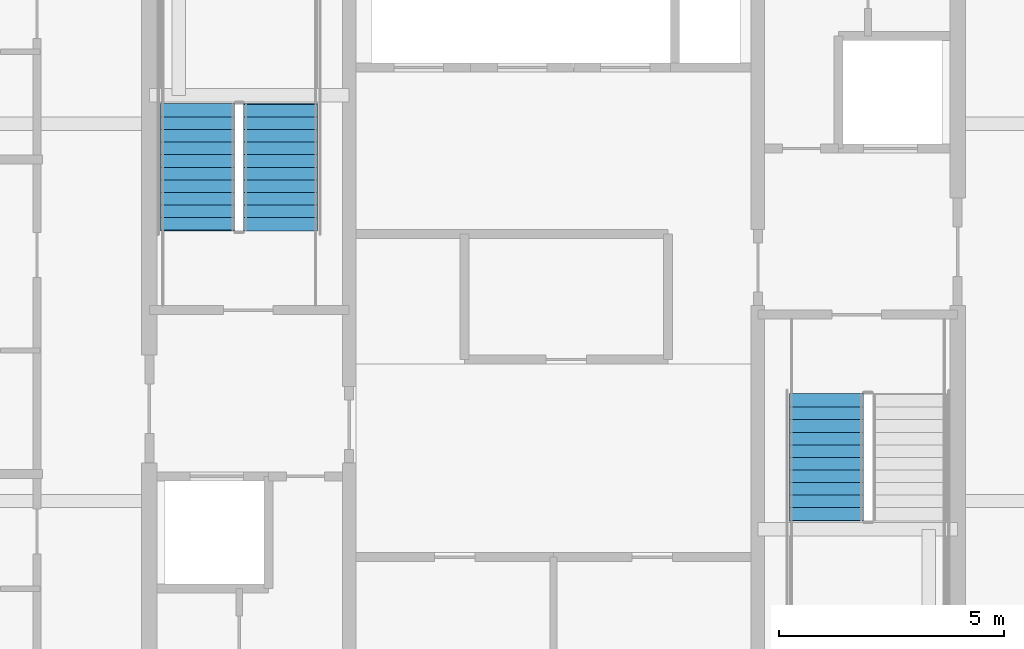
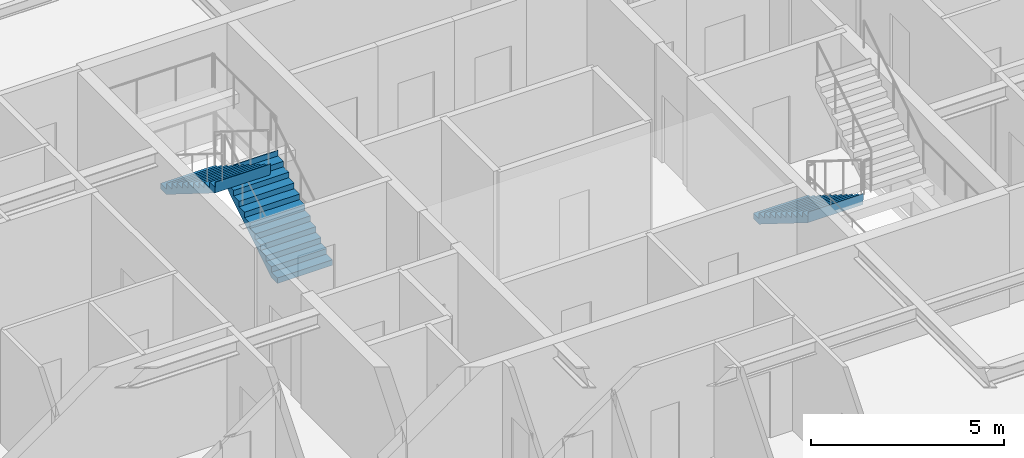
# One storey, part 30 of 36: 3 stair flights, 2 elements without a shape of their own.
"""IFC4 building model written with IfcOpenShell, lengths in metres."""

from ifc_helpers import new_model, si_unit, direction, frame, origin, place, context, subcontext, project, spatial, polygons, material, type_object, element, aggregate, save


model = new_model("IFC4")

# Units and contexts
model_context = context("Model", 3, precision=1e-05, world=origin(), true_north=direction((0.0, 1.0)))
body_context = subcontext(model_context, "Body", "Model", "MODEL_VIEW")
ifc_project = project(units=[si_unit("LENGTHUNIT", "METRE"), si_unit("AREAUNIT", "SQUARE_METRE"), si_unit("VOLUMEUNIT", "CUBIC_METRE"), si_unit("PLANEANGLEUNIT", "RADIAN"), si_unit("MASSUNIT", "GRAM", prefix="KILO")], contexts=[model_context])

# Site, building, storey
site_placement = place(None, origin())
site = spatial("IfcSite", under=ifc_project, at=site_placement, CompositionType="ELEMENT")
building_placement = place(site_placement, origin())
building = spatial("IfcBuilding", under=site, at=building_placement, Name="Serunith Strait Residences", CompositionType="ELEMENT")
storey_placement = place(building_placement, frame((0.0, 0.0, 256.64990234375)))
storey = spatial("IfcBuildingStorey", under=building, at=storey_placement, Name="L64", CompositionType="ELEMENT", Elevation=256.64990234375)

# Stair, stair flights
ifc_material = material(Name="Concrete C50/60", Category="concrete")
stair_type_1 = type_object("IfcStairType", Name="STR-CORE-1", PredefinedType="HALF_TURN_STAIR", material=ifc_material)
stair_1_placement = place(storey_placement, origin())
stair_1 = element("IfcStair", 1, at=stair_1_placement, inside=storey, type_object=stair_type_1, Name="L64 Protected Escape Stair ST-1", PredefinedType="HALF_TURN_STAIR")
stair_flight_type_1 = type_object("IfcStairFlightType", Name="FLT-CORE-1", PredefinedType="STRAIGHT", material=ifc_material)
stair_flight_1_placement = place(storey_placement, frame((26.324951171875, 27.030029296875, 0.0), z_axis=(0.0, 0.0, 1.0), x_axis=(0.0, 1.0, 0.0)))
stair_flight_1 = element("IfcStairFlight", 2, at=stair_flight_1_placement, type_object=stair_flight_type_1, Name="ST-1 flight 1", NumberOfRisers=11, NumberOfTreads=10, PredefinedType="STRAIGHT", RiserHeight=0.175, TreadLength=0.28, context=body_context, shape_type="Tessellation", body=[
    polygons([(-0.02001953125, -0.824951171875, 0.0), (-0.02001953125, -0.824951171875, 0.175048828125), (0.280029296875, -0.824951171875, 0.175048828125), (0.280029296875, -0.824951171875, 0.35009765625), (0.56005859375, -0.824951171875, 0.35009765625), (0.56005859375, -0.824951171875, 0.52490234375), (0.840087890625, -0.824951171875, 0.52490234375), (0.840087890625, -0.824951171875, 0.699951171875), (1.1201171875, -0.824951171875, 0.699951171875), (1.1201171875, -0.824951171875, 0.875), (1.39990234375, -0.824951171875, 0.875), (1.39990234375, -0.824951171875, 1.050048828125), (1.679931640625, -0.824951171875, 1.050048828125), (1.679931640625, -0.824951171875, 1.22509765625), (1.9599609375, -0.824951171875, 1.22509765625), (1.9599609375, -0.824951171875, 1.39990234375), (2.239990234375, -0.824951171875, 1.39990234375), (2.239990234375, -0.824951171875, 1.574951171875), (2.52001953125, -0.824951171875, 1.574951171875), (2.52001953125, -0.824951171875, 1.75), (2.800048828125, -0.824951171875, 1.75), (2.800048828125, -0.824951171875, 1.925048828125), (2.820068359375, -0.824951171875, 1.925048828125), (2.820068359375, -0.824951171875, 1.864990234375), (2.800048828125, -0.824951171875, 1.5732421875), (0.28271484375, -0.824951171875, 0.0), (-0.02001953125, -0.41259765625, 0.0), (-0.02001953125, -0.41259765625, 0.175048828125), (0.280029296875, -0.41259765625, 0.175048828125), (0.280029296875, -0.41259765625, 0.35009765625), (0.56005859375, -0.41259765625, 0.35009765625), (0.56005859375, -0.41259765625, 0.52490234375), (0.840087890625, -0.41259765625, 0.52490234375), (0.840087890625, -0.41259765625, 0.699951171875), (1.1201171875, -0.41259765625, 0.699951171875), (1.1201171875, -0.41259765625, 0.875), (1.39990234375, -0.41259765625, 0.875), (1.39990234375, -0.41259765625, 1.050048828125), (1.679931640625, -0.41259765625, 1.050048828125), (1.679931640625, -0.41259765625, 1.22509765625), (1.9599609375, -0.41259765625, 1.22509765625), (1.9599609375, -0.41259765625, 1.39990234375), (2.239990234375, -0.41259765625, 1.39990234375), (2.239990234375, -0.41259765625, 1.574951171875), (2.52001953125, -0.41259765625, 1.574951171875), (2.52001953125, -0.41259765625, 1.75), (2.800048828125, -0.41259765625, 1.75), (2.800048828125, -0.41259765625, 1.925048828125), (2.820068359375, -0.41259765625, 1.925048828125), (2.820068359375, -0.41259765625, 1.864990234375), (2.800048828125, -0.41259765625, 1.5732421875), (0.28271484375, -0.41259765625, 0.0), (-0.02001953125, 0.0, 0.0), (-0.02001953125, 0.0, 0.175048828125), (0.280029296875, 0.0, 0.175048828125), (0.280029296875, 0.0, 0.35009765625), (0.56005859375, 0.0, 0.35009765625), (0.56005859375, 0.0, 0.52490234375), (0.840087890625, 0.0, 0.52490234375), (0.840087890625, 0.0, 0.699951171875), (1.1201171875, 0.0, 0.699951171875), (1.1201171875, 0.0, 0.875), (1.39990234375, 0.0, 0.875), (1.39990234375, 0.0, 1.050048828125), (1.679931640625, 0.0, 1.050048828125), (1.679931640625, 0.0, 1.22509765625), (1.9599609375, 0.0, 1.22509765625), (1.9599609375, 0.0, 1.39990234375), (2.239990234375, 0.0, 1.39990234375), (2.239990234375, 0.0, 1.574951171875), (2.52001953125, 0.0, 1.574951171875), (2.52001953125, 0.0, 1.75), (2.800048828125, 0.0, 1.75), (2.800048828125, 0.0, 1.925048828125), (2.820068359375, 0.0, 1.925048828125), (2.820068359375, 0.0, 1.864990234375), (2.800048828125, 0.0, 1.5732421875), (0.28271484375, 0.0, 0.0), (-0.02001953125, 0.41259765625, 0.0), (-0.02001953125, 0.41259765625, 0.175048828125), (0.280029296875, 0.41259765625, 0.175048828125), (0.280029296875, 0.41259765625, 0.35009765625), (0.56005859375, 0.41259765625, 0.35009765625), (0.56005859375, 0.41259765625, 0.52490234375), (0.840087890625, 0.41259765625, 0.52490234375), (0.840087890625, 0.41259765625, 0.699951171875), (1.1201171875, 0.41259765625, 0.699951171875), (1.1201171875, 0.41259765625, 0.875), (1.39990234375, 0.41259765625, 0.875), (1.39990234375, 0.41259765625, 1.050048828125), (1.679931640625, 0.41259765625, 1.050048828125), (1.679931640625, 0.41259765625, 1.22509765625), (1.9599609375, 0.41259765625, 1.22509765625), (1.9599609375, 0.41259765625, 1.39990234375), (2.239990234375, 0.41259765625, 1.39990234375), (2.239990234375, 0.41259765625, 1.574951171875), (2.52001953125, 0.41259765625, 1.574951171875), (2.52001953125, 0.41259765625, 1.75), (2.800048828125, 0.41259765625, 1.75), (2.800048828125, 0.41259765625, 1.925048828125), (2.820068359375, 0.41259765625, 1.925048828125), (2.820068359375, 0.41259765625, 1.864990234375), (2.800048828125, 0.41259765625, 1.5732421875), (0.28271484375, 0.41259765625, 0.0), (-0.02001953125, 0.824951171875, 0.0), (-0.02001953125, 0.824951171875, 0.175048828125), (0.280029296875, 0.824951171875, 0.175048828125), (0.280029296875, 0.824951171875, 0.35009765625), (0.56005859375, 0.824951171875, 0.35009765625), (0.56005859375, 0.824951171875, 0.52490234375), (0.840087890625, 0.824951171875, 0.52490234375), (0.840087890625, 0.824951171875, 0.699951171875), (1.1201171875, 0.824951171875, 0.699951171875), (1.1201171875, 0.824951171875, 0.875), (1.39990234375, 0.824951171875, 0.875), (1.39990234375, 0.824951171875, 1.050048828125), (1.679931640625, 0.824951171875, 1.050048828125), (1.679931640625, 0.824951171875, 1.22509765625), (1.9599609375, 0.824951171875, 1.22509765625), (1.9599609375, 0.824951171875, 1.39990234375), (2.239990234375, 0.824951171875, 1.39990234375), (2.239990234375, 0.824951171875, 1.574951171875), (2.52001953125, 0.824951171875, 1.574951171875), (2.52001953125, 0.824951171875, 1.75), (2.800048828125, 0.824951171875, 1.75), (2.800048828125, 0.824951171875, 1.925048828125), (2.820068359375, 0.824951171875, 1.925048828125), (2.820068359375, 0.824951171875, 1.864990234375), (2.800048828125, 0.824951171875, 1.5732421875), (0.28271484375, 0.824951171875, 0.0)], [[[1, 2, 28, 27]], [[2, 3, 29, 28]], [[3, 4, 30, 29]], [[4, 5, 31, 30]], [[5, 6, 32, 31]], [[6, 7, 33, 32]], [[7, 8, 34, 33]], [[8, 9, 35, 34]], [[9, 10, 36, 35]], [[10, 11, 37, 36]], [[11, 12, 38, 37]], [[12, 13, 39, 38]], [[13, 14, 40, 39]], [[14, 15, 41, 40]], [[15, 16, 42, 41]], [[16, 17, 43, 42]], [[17, 18, 44, 43]], [[18, 19, 45, 44]], [[19, 20, 46, 45]], [[20, 21, 47, 46]], [[21, 22, 48, 47]], [[22, 23, 49, 48]], [[23, 24, 50, 49]], [[24, 25, 51, 50]], [[25, 26, 52, 51]], [[26, 1, 27, 52]], [[27, 28, 54, 53]], [[28, 29, 55, 54]], [[29, 30, 56, 55]], [[30, 31, 57, 56]], [[31, 32, 58, 57]], [[32, 33, 59, 58]], [[33, 34, 60, 59]], [[34, 35, 61, 60]], [[35, 36, 62, 61]], [[36, 37, 63, 62]], [[37, 38, 64, 63]], [[38, 39, 65, 64]], [[39, 40, 66, 65]], [[40, 41, 67, 66]], [[41, 42, 68, 67]], [[42, 43, 69, 68]], [[43, 44, 70, 69]], [[44, 45, 71, 70]], [[45, 46, 72, 71]], [[46, 47, 73, 72]], [[47, 48, 74, 73]], [[48, 49, 75, 74]], [[49, 50, 76, 75]], [[50, 51, 77, 76]], [[51, 52, 78, 77]], [[52, 27, 53, 78]], [[53, 54, 80, 79]], [[54, 55, 81, 80]], [[55, 56, 82, 81]], [[56, 57, 83, 82]], [[57, 58, 84, 83]], [[58, 59, 85, 84]], [[59, 60, 86, 85]], [[60, 61, 87, 86]], [[61, 62, 88, 87]], [[62, 63, 89, 88]], [[63, 64, 90, 89]], [[64, 65, 91, 90]], [[65, 66, 92, 91]], [[66, 67, 93, 92]], [[67, 68, 94, 93]], [[68, 69, 95, 94]], [[69, 70, 96, 95]], [[70, 71, 97, 96]], [[71, 72, 98, 97]], [[72, 73, 99, 98]], [[73, 74, 100, 99]], [[74, 75, 101, 100]], [[75, 76, 102, 101]], [[76, 77, 103, 102]], [[77, 78, 104, 103]], [[78, 53, 79, 104]], [[79, 80, 106, 105]], [[80, 81, 107, 106]], [[81, 82, 108, 107]], [[82, 83, 109, 108]], [[83, 84, 110, 109]], [[84, 85, 111, 110]], [[85, 86, 112, 111]], [[86, 87, 113, 112]], [[87, 88, 114, 113]], [[88, 89, 115, 114]], [[89, 90, 116, 115]], [[90, 91, 117, 116]], [[91, 92, 118, 117]], [[92, 93, 119, 118]], [[93, 94, 120, 119]], [[94, 95, 121, 120]], [[95, 96, 122, 121]], [[96, 97, 123, 122]], [[97, 98, 124, 123]], [[98, 99, 125, 124]], [[99, 100, 126, 125]], [[100, 101, 127, 126]], [[101, 102, 128, 127]], [[102, 103, 129, 128]], [[103, 104, 130, 129]], [[104, 79, 105, 130]], [[26, 25, 24, 23, 22, 21, 20, 19, 18, 17, 16, 15, 14, 13, 12, 11, 10, 9, 8, 7, 6, 5, 4, 3, 2, 1]], [[105, 106, 107, 108, 109, 110, 111, 112, 113, 114, 115, 116, 117, 118, 119, 120, 121, 122, 123, 124, 125, 126, 127, 128, 129, 130]]], closed=True),
])
stair_flight_2_placement = place(storey_placement, frame((24.47509765625, 29.830078125, 1.925048828125), z_axis=(0.0, 0.0, 1.0), x_axis=(0.0, -1.0, 0.0)))
stair_flight_2 = element("IfcStairFlight", 3, at=stair_flight_2_placement, type_object=stair_flight_type_1, Name="ST-1 flight 2", NumberOfRisers=11, NumberOfTreads=10, PredefinedType="STRAIGHT", RiserHeight=0.175, TreadLength=0.28, context=body_context, shape_type="Tessellation", body=[
    polygons([(-0.02001953125, -0.824951171875, 0.0), (-0.02001953125, -0.824951171875, 0.175048828125), (0.280029296875, -0.824951171875, 0.175048828125), (0.280029296875, -0.824951171875, 0.35009765625), (0.56005859375, -0.824951171875, 0.35009765625), (0.56005859375, -0.824951171875, 0.52490234375), (0.840087890625, -0.824951171875, 0.52490234375), (0.840087890625, -0.824951171875, 0.699951171875), (1.1201171875, -0.824951171875, 0.699951171875), (1.1201171875, -0.824951171875, 0.875), (1.39990234375, -0.824951171875, 0.875), (1.39990234375, -0.824951171875, 1.050048828125), (1.679931640625, -0.824951171875, 1.050048828125), (1.679931640625, -0.824951171875, 1.22509765625), (1.9599609375, -0.824951171875, 1.22509765625), (1.9599609375, -0.824951171875, 1.39990234375), (2.239990234375, -0.824951171875, 1.39990234375), (2.239990234375, -0.824951171875, 1.574951171875), (2.52001953125, -0.824951171875, 1.574951171875), (2.52001953125, -0.824951171875, 1.75), (2.800048828125, -0.824951171875, 1.75), (2.800048828125, -0.824951171875, 1.925048828125), (2.820068359375, -0.824951171875, 1.925048828125), (2.820068359375, -0.824951171875, 1.864990234375), (2.800048828125, -0.824951171875, 1.5732421875), (0.28271484375, -0.824951171875, 0.0), (-0.02001953125, -0.41259765625, 0.0), (-0.02001953125, -0.41259765625, 0.175048828125), (0.280029296875, -0.41259765625, 0.175048828125), (0.280029296875, -0.41259765625, 0.35009765625), (0.56005859375, -0.41259765625, 0.35009765625), (0.56005859375, -0.41259765625, 0.52490234375), (0.840087890625, -0.41259765625, 0.52490234375), (0.840087890625, -0.41259765625, 0.699951171875), (1.1201171875, -0.41259765625, 0.699951171875), (1.1201171875, -0.41259765625, 0.875), (1.39990234375, -0.41259765625, 0.875), (1.39990234375, -0.41259765625, 1.050048828125), (1.679931640625, -0.41259765625, 1.050048828125), (1.679931640625, -0.41259765625, 1.22509765625), (1.9599609375, -0.41259765625, 1.22509765625), (1.9599609375, -0.41259765625, 1.39990234375), (2.239990234375, -0.41259765625, 1.39990234375), (2.239990234375, -0.41259765625, 1.574951171875), (2.52001953125, -0.41259765625, 1.574951171875), (2.52001953125, -0.41259765625, 1.75), (2.800048828125, -0.41259765625, 1.75), (2.800048828125, -0.41259765625, 1.925048828125), (2.820068359375, -0.41259765625, 1.925048828125), (2.820068359375, -0.41259765625, 1.864990234375), (2.800048828125, -0.41259765625, 1.5732421875), (0.28271484375, -0.41259765625, 0.0), (-0.02001953125, 0.0, 0.0), (-0.02001953125, 0.0, 0.175048828125), (0.280029296875, 0.0, 0.175048828125), (0.280029296875, 0.0, 0.35009765625), (0.56005859375, 0.0, 0.35009765625), (0.56005859375, 0.0, 0.52490234375), (0.840087890625, 0.0, 0.52490234375), (0.840087890625, 0.0, 0.699951171875), (1.1201171875, 0.0, 0.699951171875), (1.1201171875, 0.0, 0.875), (1.39990234375, 0.0, 0.875), (1.39990234375, 0.0, 1.050048828125), (1.679931640625, 0.0, 1.050048828125), (1.679931640625, 0.0, 1.22509765625), (1.9599609375, 0.0, 1.22509765625), (1.9599609375, 0.0, 1.39990234375), (2.239990234375, 0.0, 1.39990234375), (2.239990234375, 0.0, 1.574951171875), (2.52001953125, 0.0, 1.574951171875), (2.52001953125, 0.0, 1.75), (2.800048828125, 0.0, 1.75), (2.800048828125, 0.0, 1.925048828125), (2.820068359375, 0.0, 1.925048828125), (2.820068359375, 0.0, 1.864990234375), (2.800048828125, 0.0, 1.5732421875), (0.28271484375, 0.0, 0.0), (-0.02001953125, 0.41259765625, 0.0), (-0.02001953125, 0.41259765625, 0.175048828125), (0.280029296875, 0.41259765625, 0.175048828125), (0.280029296875, 0.41259765625, 0.35009765625), (0.56005859375, 0.41259765625, 0.35009765625), (0.56005859375, 0.41259765625, 0.52490234375), (0.840087890625, 0.41259765625, 0.52490234375), (0.840087890625, 0.41259765625, 0.699951171875), (1.1201171875, 0.41259765625, 0.699951171875), (1.1201171875, 0.41259765625, 0.875), (1.39990234375, 0.41259765625, 0.875), (1.39990234375, 0.41259765625, 1.050048828125), (1.679931640625, 0.41259765625, 1.050048828125), (1.679931640625, 0.41259765625, 1.22509765625), (1.9599609375, 0.41259765625, 1.22509765625), (1.9599609375, 0.41259765625, 1.39990234375), (2.239990234375, 0.41259765625, 1.39990234375), (2.239990234375, 0.41259765625, 1.574951171875), (2.52001953125, 0.41259765625, 1.574951171875), (2.52001953125, 0.41259765625, 1.75), (2.800048828125, 0.41259765625, 1.75), (2.800048828125, 0.41259765625, 1.925048828125), (2.820068359375, 0.41259765625, 1.925048828125), (2.820068359375, 0.41259765625, 1.864990234375), (2.800048828125, 0.41259765625, 1.5732421875), (0.28271484375, 0.41259765625, 0.0), (-0.02001953125, 0.824951171875, 0.0), (-0.02001953125, 0.824951171875, 0.175048828125), (0.280029296875, 0.824951171875, 0.175048828125), (0.280029296875, 0.824951171875, 0.35009765625), (0.56005859375, 0.824951171875, 0.35009765625), (0.56005859375, 0.824951171875, 0.52490234375), (0.840087890625, 0.824951171875, 0.52490234375), (0.840087890625, 0.824951171875, 0.699951171875), (1.1201171875, 0.824951171875, 0.699951171875), (1.1201171875, 0.824951171875, 0.875), (1.39990234375, 0.824951171875, 0.875), (1.39990234375, 0.824951171875, 1.050048828125), (1.679931640625, 0.824951171875, 1.050048828125), (1.679931640625, 0.824951171875, 1.22509765625), (1.9599609375, 0.824951171875, 1.22509765625), (1.9599609375, 0.824951171875, 1.39990234375), (2.239990234375, 0.824951171875, 1.39990234375), (2.239990234375, 0.824951171875, 1.574951171875), (2.52001953125, 0.824951171875, 1.574951171875), (2.52001953125, 0.824951171875, 1.75), (2.800048828125, 0.824951171875, 1.75), (2.800048828125, 0.824951171875, 1.925048828125), (2.820068359375, 0.824951171875, 1.925048828125), (2.820068359375, 0.824951171875, 1.864990234375), (2.800048828125, 0.824951171875, 1.5732421875), (0.28271484375, 0.824951171875, 0.0)], [[[1, 2, 28, 27]], [[2, 3, 29, 28]], [[3, 4, 30, 29]], [[4, 5, 31, 30]], [[5, 6, 32, 31]], [[6, 7, 33, 32]], [[7, 8, 34, 33]], [[8, 9, 35, 34]], [[9, 10, 36, 35]], [[10, 11, 37, 36]], [[11, 12, 38, 37]], [[12, 13, 39, 38]], [[13, 14, 40, 39]], [[14, 15, 41, 40]], [[15, 16, 42, 41]], [[16, 17, 43, 42]], [[17, 18, 44, 43]], [[18, 19, 45, 44]], [[19, 20, 46, 45]], [[20, 21, 47, 46]], [[21, 22, 48, 47]], [[22, 23, 49, 48]], [[23, 24, 50, 49]], [[24, 25, 51, 50]], [[25, 26, 52, 51]], [[26, 1, 27, 52]], [[27, 28, 54, 53]], [[28, 29, 55, 54]], [[29, 30, 56, 55]], [[30, 31, 57, 56]], [[31, 32, 58, 57]], [[32, 33, 59, 58]], [[33, 34, 60, 59]], [[34, 35, 61, 60]], [[35, 36, 62, 61]], [[36, 37, 63, 62]], [[37, 38, 64, 63]], [[38, 39, 65, 64]], [[39, 40, 66, 65]], [[40, 41, 67, 66]], [[41, 42, 68, 67]], [[42, 43, 69, 68]], [[43, 44, 70, 69]], [[44, 45, 71, 70]], [[45, 46, 72, 71]], [[46, 47, 73, 72]], [[47, 48, 74, 73]], [[48, 49, 75, 74]], [[49, 50, 76, 75]], [[50, 51, 77, 76]], [[51, 52, 78, 77]], [[52, 27, 53, 78]], [[53, 54, 80, 79]], [[54, 55, 81, 80]], [[55, 56, 82, 81]], [[56, 57, 83, 82]], [[57, 58, 84, 83]], [[58, 59, 85, 84]], [[59, 60, 86, 85]], [[60, 61, 87, 86]], [[61, 62, 88, 87]], [[62, 63, 89, 88]], [[63, 64, 90, 89]], [[64, 65, 91, 90]], [[65, 66, 92, 91]], [[66, 67, 93, 92]], [[67, 68, 94, 93]], [[68, 69, 95, 94]], [[69, 70, 96, 95]], [[70, 71, 97, 96]], [[71, 72, 98, 97]], [[72, 73, 99, 98]], [[73, 74, 100, 99]], [[74, 75, 101, 100]], [[75, 76, 102, 101]], [[76, 77, 103, 102]], [[77, 78, 104, 103]], [[78, 53, 79, 104]], [[79, 80, 106, 105]], [[80, 81, 107, 106]], [[81, 82, 108, 107]], [[82, 83, 109, 108]], [[83, 84, 110, 109]], [[84, 85, 111, 110]], [[85, 86, 112, 111]], [[86, 87, 113, 112]], [[87, 88, 114, 113]], [[88, 89, 115, 114]], [[89, 90, 116, 115]], [[90, 91, 117, 116]], [[91, 92, 118, 117]], [[92, 93, 119, 118]], [[93, 94, 120, 119]], [[94, 95, 121, 120]], [[95, 96, 122, 121]], [[96, 97, 123, 122]], [[97, 98, 124, 123]], [[98, 99, 125, 124]], [[99, 100, 126, 125]], [[100, 101, 127, 126]], [[101, 102, 128, 127]], [[102, 103, 129, 128]], [[103, 104, 130, 129]], [[104, 79, 105, 130]], [[26, 25, 24, 23, 22, 21, 20, 19, 18, 17, 16, 15, 14, 13, 12, 11, 10, 9, 8, 7, 6, 5, 4, 3, 2, 1]], [[105, 106, 107, 108, 109, 110, 111, 112, 113, 114, 115, 116, 117, 118, 119, 120, 121, 122, 123, 124, 125, 126, 127, 128, 129, 130]]], closed=True),
])
aggregate(stair_1, [stair_flight_1, stair_flight_2])

# Stair, stair flight
stair_type_2 = type_object("IfcStairType", Name="STR-CORE-2", PredefinedType="HALF_TURN_STAIR", material=ifc_material)
stair_2_placement = place(storey_placement, origin())
stair_2 = element("IfcStair", 4, at=stair_2_placement, inside=storey, type_object=stair_type_2, Name="L64 Protected Escape Stair ST-2", PredefinedType="HALF_TURN_STAIR")
stair_flight_type_2 = type_object("IfcStairFlightType", Name="FLT-CORE-2", PredefinedType="STRAIGHT", material=ifc_material)
stair_flight_3_placement = place(storey_placement, frame((38.47509765625, 23.3701171875, 0.0), z_axis=(0.0, 0.0, 1.0), x_axis=(0.0, -1.0, 0.0)))
stair_flight_3 = element("IfcStairFlight", 5, at=stair_flight_3_placement, type_object=stair_flight_type_2, Name="ST-2 flight 1", NumberOfRisers=11, NumberOfTreads=10, PredefinedType="STRAIGHT", RiserHeight=0.175, TreadLength=0.28, context=body_context, shape_type="Tessellation", body=[
    polygons([(-0.02001953125, -0.824951171875, 0.0), (-0.02001953125, -0.824951171875, 0.175048828125), (0.280029296875, -0.824951171875, 0.175048828125), (0.280029296875, -0.824951171875, 0.35009765625), (0.56005859375, -0.824951171875, 0.35009765625), (0.56005859375, -0.824951171875, 0.52490234375), (0.840087890625, -0.824951171875, 0.52490234375), (0.840087890625, -0.824951171875, 0.699951171875), (1.1201171875, -0.824951171875, 0.699951171875), (1.1201171875, -0.824951171875, 0.875), (1.39990234375, -0.824951171875, 0.875), (1.39990234375, -0.824951171875, 1.050048828125), (1.679931640625, -0.824951171875, 1.050048828125), (1.679931640625, -0.824951171875, 1.22509765625), (1.9599609375, -0.824951171875, 1.22509765625), (1.9599609375, -0.824951171875, 1.39990234375), (2.239990234375, -0.824951171875, 1.39990234375), (2.239990234375, -0.824951171875, 1.574951171875), (2.52001953125, -0.824951171875, 1.574951171875), (2.52001953125, -0.824951171875, 1.75), (2.800048828125, -0.824951171875, 1.75), (2.800048828125, -0.824951171875, 1.925048828125), (2.820068359375, -0.824951171875, 1.925048828125), (2.820068359375, -0.824951171875, 1.864990234375), (2.800048828125, -0.824951171875, 1.5732421875), (0.28271484375, -0.824951171875, 0.0), (-0.02001953125, -0.41259765625, 0.0), (-0.02001953125, -0.41259765625, 0.175048828125), (0.280029296875, -0.41259765625, 0.175048828125), (0.280029296875, -0.41259765625, 0.35009765625), (0.56005859375, -0.41259765625, 0.35009765625), (0.56005859375, -0.41259765625, 0.52490234375), (0.840087890625, -0.41259765625, 0.52490234375), (0.840087890625, -0.41259765625, 0.699951171875), (1.1201171875, -0.41259765625, 0.699951171875), (1.1201171875, -0.41259765625, 0.875), (1.39990234375, -0.41259765625, 0.875), (1.39990234375, -0.41259765625, 1.050048828125), (1.679931640625, -0.41259765625, 1.050048828125), (1.679931640625, -0.41259765625, 1.22509765625), (1.9599609375, -0.41259765625, 1.22509765625), (1.9599609375, -0.41259765625, 1.39990234375), (2.239990234375, -0.41259765625, 1.39990234375), (2.239990234375, -0.41259765625, 1.574951171875), (2.52001953125, -0.41259765625, 1.574951171875), (2.52001953125, -0.41259765625, 1.75), (2.800048828125, -0.41259765625, 1.75), (2.800048828125, -0.41259765625, 1.925048828125), (2.820068359375, -0.41259765625, 1.925048828125), (2.820068359375, -0.41259765625, 1.864990234375), (2.800048828125, -0.41259765625, 1.5732421875), (0.28271484375, -0.41259765625, 0.0), (-0.02001953125, 0.0, 0.0), (-0.02001953125, 0.0, 0.175048828125), (0.280029296875, 0.0, 0.175048828125), (0.280029296875, 0.0, 0.35009765625), (0.56005859375, 0.0, 0.35009765625), (0.56005859375, 0.0, 0.52490234375), (0.840087890625, 0.0, 0.52490234375), (0.840087890625, 0.0, 0.699951171875), (1.1201171875, 0.0, 0.699951171875), (1.1201171875, 0.0, 0.875), (1.39990234375, 0.0, 0.875), (1.39990234375, 0.0, 1.050048828125), (1.679931640625, 0.0, 1.050048828125), (1.679931640625, 0.0, 1.22509765625), (1.9599609375, 0.0, 1.22509765625), (1.9599609375, 0.0, 1.39990234375), (2.239990234375, 0.0, 1.39990234375), (2.239990234375, 0.0, 1.574951171875), (2.52001953125, 0.0, 1.574951171875), (2.52001953125, 0.0, 1.75), (2.800048828125, 0.0, 1.75), (2.800048828125, 0.0, 1.925048828125), (2.820068359375, 0.0, 1.925048828125), (2.820068359375, 0.0, 1.864990234375), (2.800048828125, 0.0, 1.5732421875), (0.28271484375, 0.0, 0.0), (-0.02001953125, 0.41259765625, 0.0), (-0.02001953125, 0.41259765625, 0.175048828125), (0.280029296875, 0.41259765625, 0.175048828125), (0.280029296875, 0.41259765625, 0.35009765625), (0.56005859375, 0.41259765625, 0.35009765625), (0.56005859375, 0.41259765625, 0.52490234375), (0.840087890625, 0.41259765625, 0.52490234375), (0.840087890625, 0.41259765625, 0.699951171875), (1.1201171875, 0.41259765625, 0.699951171875), (1.1201171875, 0.41259765625, 0.875), (1.39990234375, 0.41259765625, 0.875), (1.39990234375, 0.41259765625, 1.050048828125), (1.679931640625, 0.41259765625, 1.050048828125), (1.679931640625, 0.41259765625, 1.22509765625), (1.9599609375, 0.41259765625, 1.22509765625), (1.9599609375, 0.41259765625, 1.39990234375), (2.239990234375, 0.41259765625, 1.39990234375), (2.239990234375, 0.41259765625, 1.574951171875), (2.52001953125, 0.41259765625, 1.574951171875), (2.52001953125, 0.41259765625, 1.75), (2.800048828125, 0.41259765625, 1.75), (2.800048828125, 0.41259765625, 1.925048828125), (2.820068359375, 0.41259765625, 1.925048828125), (2.820068359375, 0.41259765625, 1.864990234375), (2.800048828125, 0.41259765625, 1.5732421875), (0.28271484375, 0.41259765625, 0.0), (-0.02001953125, 0.824951171875, 0.0), (-0.02001953125, 0.824951171875, 0.175048828125), (0.280029296875, 0.824951171875, 0.175048828125), (0.280029296875, 0.824951171875, 0.35009765625), (0.56005859375, 0.824951171875, 0.35009765625), (0.56005859375, 0.824951171875, 0.52490234375), (0.840087890625, 0.824951171875, 0.52490234375), (0.840087890625, 0.824951171875, 0.699951171875), (1.1201171875, 0.824951171875, 0.699951171875), (1.1201171875, 0.824951171875, 0.875), (1.39990234375, 0.824951171875, 0.875), (1.39990234375, 0.824951171875, 1.050048828125), (1.679931640625, 0.824951171875, 1.050048828125), (1.679931640625, 0.824951171875, 1.22509765625), (1.9599609375, 0.824951171875, 1.22509765625), (1.9599609375, 0.824951171875, 1.39990234375), (2.239990234375, 0.824951171875, 1.39990234375), (2.239990234375, 0.824951171875, 1.574951171875), (2.52001953125, 0.824951171875, 1.574951171875), (2.52001953125, 0.824951171875, 1.75), (2.800048828125, 0.824951171875, 1.75), (2.800048828125, 0.824951171875, 1.925048828125), (2.820068359375, 0.824951171875, 1.925048828125), (2.820068359375, 0.824951171875, 1.864990234375), (2.800048828125, 0.824951171875, 1.5732421875), (0.28271484375, 0.824951171875, 0.0)], [[[1, 2, 28, 27]], [[2, 3, 29, 28]], [[3, 4, 30, 29]], [[4, 5, 31, 30]], [[5, 6, 32, 31]], [[6, 7, 33, 32]], [[7, 8, 34, 33]], [[8, 9, 35, 34]], [[9, 10, 36, 35]], [[10, 11, 37, 36]], [[11, 12, 38, 37]], [[12, 13, 39, 38]], [[13, 14, 40, 39]], [[14, 15, 41, 40]], [[15, 16, 42, 41]], [[16, 17, 43, 42]], [[17, 18, 44, 43]], [[18, 19, 45, 44]], [[19, 20, 46, 45]], [[20, 21, 47, 46]], [[21, 22, 48, 47]], [[22, 23, 49, 48]], [[23, 24, 50, 49]], [[24, 25, 51, 50]], [[25, 26, 52, 51]], [[26, 1, 27, 52]], [[27, 28, 54, 53]], [[28, 29, 55, 54]], [[29, 30, 56, 55]], [[30, 31, 57, 56]], [[31, 32, 58, 57]], [[32, 33, 59, 58]], [[33, 34, 60, 59]], [[34, 35, 61, 60]], [[35, 36, 62, 61]], [[36, 37, 63, 62]], [[37, 38, 64, 63]], [[38, 39, 65, 64]], [[39, 40, 66, 65]], [[40, 41, 67, 66]], [[41, 42, 68, 67]], [[42, 43, 69, 68]], [[43, 44, 70, 69]], [[44, 45, 71, 70]], [[45, 46, 72, 71]], [[46, 47, 73, 72]], [[47, 48, 74, 73]], [[48, 49, 75, 74]], [[49, 50, 76, 75]], [[50, 51, 77, 76]], [[51, 52, 78, 77]], [[52, 27, 53, 78]], [[53, 54, 80, 79]], [[54, 55, 81, 80]], [[55, 56, 82, 81]], [[56, 57, 83, 82]], [[57, 58, 84, 83]], [[58, 59, 85, 84]], [[59, 60, 86, 85]], [[60, 61, 87, 86]], [[61, 62, 88, 87]], [[62, 63, 89, 88]], [[63, 64, 90, 89]], [[64, 65, 91, 90]], [[65, 66, 92, 91]], [[66, 67, 93, 92]], [[67, 68, 94, 93]], [[68, 69, 95, 94]], [[69, 70, 96, 95]], [[70, 71, 97, 96]], [[71, 72, 98, 97]], [[72, 73, 99, 98]], [[73, 74, 100, 99]], [[74, 75, 101, 100]], [[75, 76, 102, 101]], [[76, 77, 103, 102]], [[77, 78, 104, 103]], [[78, 53, 79, 104]], [[79, 80, 106, 105]], [[80, 81, 107, 106]], [[81, 82, 108, 107]], [[82, 83, 109, 108]], [[83, 84, 110, 109]], [[84, 85, 111, 110]], [[85, 86, 112, 111]], [[86, 87, 113, 112]], [[87, 88, 114, 113]], [[88, 89, 115, 114]], [[89, 90, 116, 115]], [[90, 91, 117, 116]], [[91, 92, 118, 117]], [[92, 93, 119, 118]], [[93, 94, 120, 119]], [[94, 95, 121, 120]], [[95, 96, 122, 121]], [[96, 97, 123, 122]], [[97, 98, 124, 123]], [[98, 99, 125, 124]], [[99, 100, 126, 125]], [[100, 101, 127, 126]], [[101, 102, 128, 127]], [[102, 103, 129, 128]], [[103, 104, 130, 129]], [[104, 79, 105, 130]], [[26, 25, 24, 23, 22, 21, 20, 19, 18, 17, 16, 15, 14, 13, 12, 11, 10, 9, 8, 7, 6, 5, 4, 3, 2, 1]], [[105, 106, 107, 108, 109, 110, 111, 112, 113, 114, 115, 116, 117, 118, 119, 120, 121, 122, 123, 124, 125, 126, 127, 128, 129, 130]]], closed=True),
])
aggregate(stair_2, [stair_flight_3])

save(model, "model.ifc")
